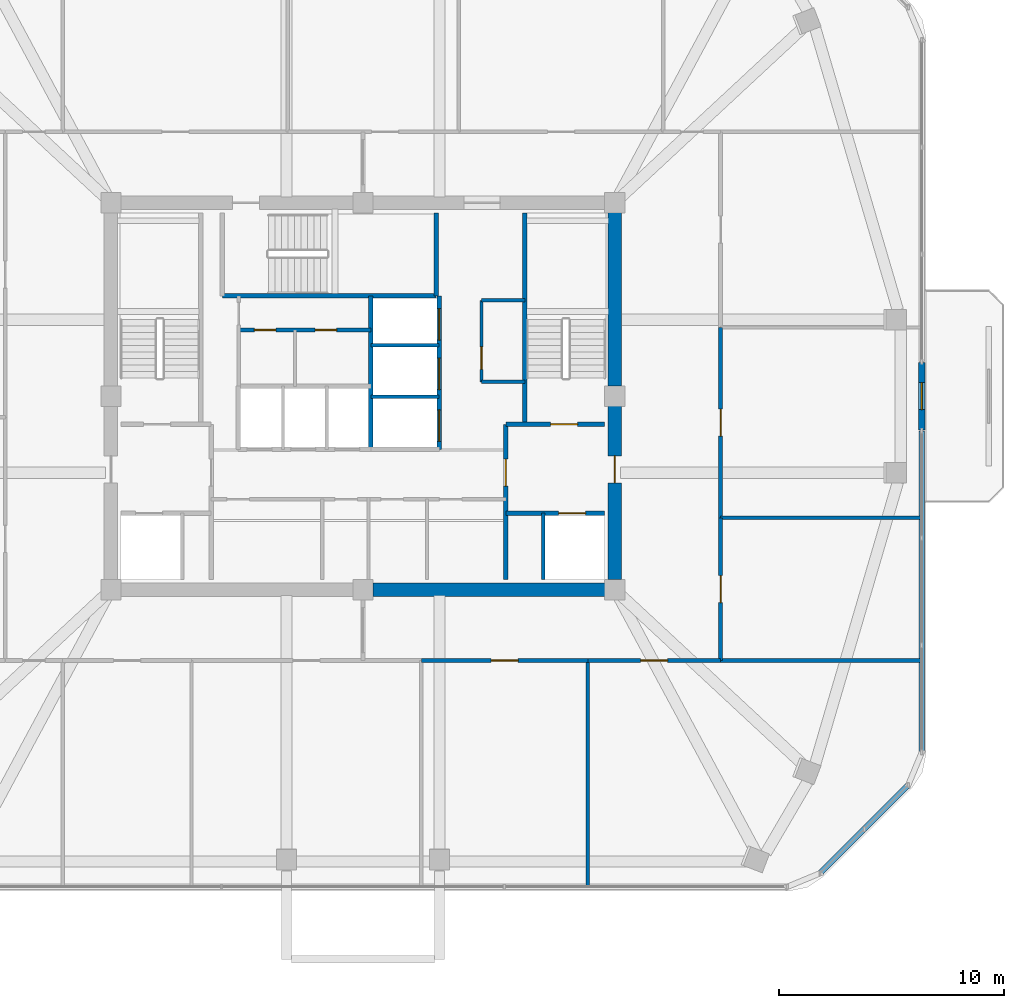
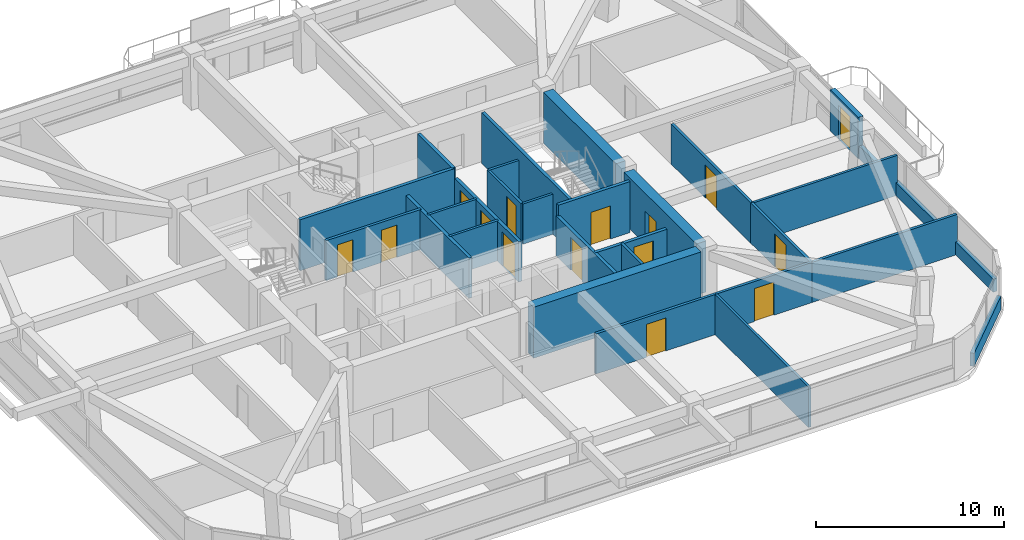
# One storey, part 10 of 13: 28 walls, 15 doors, 15 openings.
"""IFC4 building model written with IfcOpenShell, lengths in metres."""

from ifc_helpers import new_model, si_unit, derived_unit, direction, frame, frame_2d, origin, place, context, subcontext, project, spatial, rectangle, extrude, material, layer, layer_set, type_object, element, fill, save


model = new_model("IFC4")

# Units and contexts
model_context = context("Model", 3, precision=1e-05, world=origin(), true_north=direction((0.0, 1.0)))
body_context = subcontext(model_context, "Body", "Model", "MODEL_VIEW")
ifc_project = project(units=[si_unit("LENGTHUNIT", "METRE"), si_unit("AREAUNIT", "SQUARE_METRE"), si_unit("VOLUMEUNIT", "CUBIC_METRE"), si_unit("PLANEANGLEUNIT", "RADIAN"), si_unit("MASSUNIT", "GRAM", prefix="KILO"), derived_unit("THERMALTRANSMITTANCEUNIT", [(si_unit("POWERUNIT", "WATT"), 1), (si_unit("LENGTHUNIT", "METRE"), -2), (si_unit("THERMODYNAMICTEMPERATUREUNIT", "KELVIN"), -1)])], contexts=[model_context])

# Site, building, storey
site_placement = place(None, origin())
site = spatial("IfcSite", under=ifc_project, at=site_placement, CompositionType="ELEMENT")
building_placement = place(site_placement, origin())
building = spatial("IfcBuilding", under=site, at=building_placement, Name="Koralith Skygarden Medical Center", CompositionType="ELEMENT")
storey_placement = place(building_placement, frame((0.0, 0.0, 196.3798828125)))
storey = spatial("IfcBuildingStorey", under=building, at=storey_placement, Name="L50", CompositionType="ELEMENT", Elevation=196.3798828125)

# Wall, opening, door
ifc_material_1 = material(Name="Gypsum Board Partition")
ifc_layer_1 = layer(ifc_material_1, 0.14990234375)
ifc_layer_set_1 = layer_set([ifc_layer_1], Name="Gypsum Board Partition")
wall_type_1 = type_object("IfcWallType", Name="Clinical Acoustic Partition 150", PredefinedType="PARTITIONING", material=ifc_layer_set_1)
wall_1_placement = place(storey_placement, frame((42.27001953125, 26.5400390625, 0.0), z_axis=(0.0, 0.0, 1.0), x_axis=(0.0, 1.0, 0.0)))
wall_1 = element("IfcWall", 1, at=wall_1_placement, inside=storey, type_object=wall_type_1, Name="L50 Clinical Acoustic Partition 150 W-CORE-L50-ESUB-W", PredefinedType="PARTITIONING", context=body_context, shape_type="SweptSolid", body=[
    extrude(rectangle(XDim=3.619873046875, YDim=0.14990234375, at=frame_2d((1.81005859375, 0.0))), origin(), (0.0, 0.0, 1.0), 2.610107421875),
])
opening_1_placement = place(wall_1_placement, frame((0.550048828125, 0.0, 0.0)))
opening_1 = element("IfcOpeningElement", 2, at=opening_1_placement, cuts=wall_1, Name="Opening D-SUP", PredefinedType="OPENING", context=body_context, shape_type="SweptSolid", body=[
    extrude(rectangle(XDim=1.0, YDim=2.14990234375, at=frame_2d((0.5, 1.074951171875))), frame((0.0, 0.0849609375, 0.0), z_axis=(0.0, -1.0, 0.0), x_axis=(1.0, 0.0, 0.0)), (0.0, 0.0, 1.0), 0.169921875),
])
ifc_material_2 = material(Name="Aluminium 6063-T6", Category="aluminium")
door_type_1 = type_object("IfcDoorType", Name="Clinical Support Door D-SUP 1000", OperationType="NOTDEFINED", PredefinedType="DOOR", material=ifc_material_2)
door_1_placement = place(opening_1_placement, origin())
door_1 = element("IfcDoor", 3, at=door_1_placement, inside=storey, type_object=door_type_1, Name="L50 Core Equipment Store Door", OperationType="SINGLE_SWING_LEFT", OverallHeight=2.14990234375, OverallWidth=1.0, PredefinedType="DOOR", context=body_context, shape_type="SweptSolid", body=[
    extrude(rectangle(XDim=1.0, YDim=2.14990234375, at=frame_2d((0.5, 1.074951171875))), frame((0.0, 0.02490234375, 0.0), z_axis=(0.0, -1.0, 0.0), x_axis=(1.0, 0.0, 0.0)), (0.0, 0.0, 1.0), 0.050048828125),
])
fill(opening_1, door_1)

# Walls
for number, where, z_axis, x_axis, name in (
    (4, (42.27001953125, 26.5400390625, 0.0), (0.0, 0.0, 1.0), (1.0, 0.0, 0.0), "L50 Clinical Acoustic Partition 150 W-CORE-L50-ESUB-S"),
    (5, (42.27001953125, 30.159912109375, 0.0), (0.0, 0.0, 1.0), (1.0, 0.0, 0.0), "L50 Clinical Acoustic Partition 150 W-CORE-L50-ESUB-N"),
):
    element("IfcWall", number, at=place(storey_placement, frame(where, z_axis=z_axis, x_axis=x_axis)), inside=storey, type_object=wall_type_1, Name=name, PredefinedType="PARTITIONING", context=body_context, shape_type="SweptSolid", body=[
        extrude(rectangle(XDim=1.929931640625, YDim=0.14990234375, at=frame_2d((0.96484375, 0.0))), origin(), (0.0, 0.0, 1.0), 2.610107421875),
    ])
wall_2_placement = place(storey_placement, frame((46.9990234375, 14.14990234375, 0.0), z_axis=(0.0, 0.0, 1.0), x_axis=(0.0, -1.0, 0.0)))
element("IfcWall", 6, at=wall_2_placement, inside=storey, type_object=wall_type_1, Name="L50 Clinical Acoustic Partition 150 W-PART-L50-S-04", PredefinedType="PARTITIONING", context=body_context, shape_type="SweptSolid", body=[
    extrude(rectangle(XDim=10.039794921875, YDim=0.14990234375, at=frame_2d((5.02001953125, 0.0))), origin(), (0.0, 0.0, 1.0), 2.610107421875),
])
wall_3_placement = place(storey_placement, frame((52.89990234375, 20.4951171875, 0.0), z_axis=(0.0, 0.0, 1.0), x_axis=(1.0, 0.0, 0.0)))
element("IfcWall", 7, at=wall_3_placement, inside=storey, type_object=wall_type_1, Name="L50 Clinical Acoustic Partition 150 W-PART-L50-E-01", PredefinedType="PARTITIONING", context=body_context, shape_type="SweptSolid", body=[
    extrude(rectangle(XDim=8.926025390625, YDim=0.14990234375, at=frame_2d((4.462890625, 0.0))), origin(), (0.0, 0.0, 1.0), 2.610107421875),
])
ifc_layer_2 = layer(ifc_material_1, 0.1650390625)
ifc_layer_set_2 = layer_set([ifc_layer_2], Name="Gypsum Board Partition")
wall_type_2 = type_object("IfcWallType", Name="Clinical Corridor Partition 165", PredefinedType="PARTITIONING", material=ifc_layer_set_2)
wall_4_placement = place(storey_placement, frame((52.89990234375, 14.14990234375, 0.0), z_axis=(0.0, 0.0, 1.0), x_axis=(1.0, 0.0, 0.0)))
element("IfcWall", 8, at=wall_4_placement, inside=storey, type_object=wall_type_2, Name="L50 Clinical Corridor Partition 165 W-WB-L50-SE", PredefinedType="PARTITIONING", context=body_context, shape_type="SweptSolid", body=[
    extrude(rectangle(XDim=8.926025390625, YDim=0.1650390625, at=frame_2d((4.462890625, 0.0))), origin(), (0.0, 0.0, 1.0), 2.610107421875),
])

# Wall, opening, door
wall_5_placement = place(storey_placement, frame((39.60009765625, 14.14990234375, 0.0), z_axis=(0.0, 0.0, 1.0), x_axis=(1.0, 0.0, 0.0)))
wall_5 = element("IfcWall", 9, at=wall_5_placement, inside=storey, type_object=wall_type_2, Name="L50 Clinical Corridor Partition 165 W-CORR-L50-S-04", PredefinedType="PARTITIONING", context=body_context, shape_type="SweptSolid", body=[
    extrude(rectangle(XDim=7.39892578125, YDim=0.1650390625, at=frame_2d((3.699462890625, 0.0))), origin(), (0.0, 0.0, 1.0), 2.610107421875),
])
opening_2_placement = place(wall_5_placement, frame((3.10009765625, 0.0, 0.0)))
opening_2 = element("IfcOpeningElement", 10, at=opening_2_placement, cuts=wall_5, Name="Opening D-CLN", PredefinedType="OPENING", context=body_context, shape_type="SweptSolid", body=[
    extrude(rectangle(XDim=1.199951171875, YDim=2.14990234375, at=frame_2d((0.60009765625, 1.074951171875))), frame((0.0, 0.092529296875, 0.0), z_axis=(0.0, -1.0, 0.0), x_axis=(1.0, 0.0, 0.0)), (0.0, 0.0, 1.0), 0.18505859375),
])
door_type_2 = type_object("IfcDoorType", Name="Clinical Corridor Door D-CLN 1200", OperationType="NOTDEFINED", PredefinedType="DOOR", material=ifc_material_2)
door_2_placement = place(opening_2_placement, frame((1.199951171875, 0.0, 0.0), z_axis=(0.0, 0.0, 1.0), x_axis=(-1.0, 0.0, 0.0)))
door_2 = element("IfcDoor", 11, at=door_2_placement, inside=storey, type_object=door_type_2, Name="L50 Outpatient Education Lounge 09 Door", OperationType="SINGLE_SWING_RIGHT", OverallHeight=2.14990234375, OverallWidth=1.199951171875, PredefinedType="DOOR", context=body_context, shape_type="SweptSolid", body=[
    extrude(rectangle(XDim=1.199951171875, YDim=2.14990234375, at=frame_2d((0.60009765625, 1.074951171875))), frame((0.0, 0.02490234375, 0.0), z_axis=(0.0, -1.0, 0.0), x_axis=(1.0, 0.0, 0.0)), (0.0, 0.0, 1.0), 0.050048828125),
])
fill(opening_2, door_2)

wall_6_placement = place(storey_placement, frame((46.9990234375, 14.14990234375, 0.0), z_axis=(0.0, 0.0, 1.0), x_axis=(1.0, 0.0, 0.0)))
wall_6 = element("IfcWall", 12, at=wall_6_placement, inside=storey, type_object=wall_type_2, Name="L50 Clinical Corridor Partition 165 W-CORR-L50-S-05", PredefinedType="PARTITIONING", context=body_context, shape_type="SweptSolid", body=[
    extrude(rectangle(XDim=5.90087890625, YDim=0.1650390625, at=frame_2d((2.950439453125, 0.0))), origin(), (0.0, 0.0, 1.0), 2.610107421875),
])
opening_3_placement = place(wall_6_placement, frame((2.35009765625, 0.0, 0.0)))
opening_3 = element("IfcOpeningElement", 13, at=opening_3_placement, cuts=wall_6, Name="Opening D-CLN", PredefinedType="OPENING", context=body_context, shape_type="SweptSolid", body=[
    extrude(rectangle(XDim=1.199951171875, YDim=2.14990234375, at=frame_2d((0.60009765625, 1.074951171875))), frame((0.0, 0.092529296875, 0.0), z_axis=(0.0, -1.0, 0.0), x_axis=(1.0, 0.0, 0.0)), (0.0, 0.0, 1.0), 0.18505859375),
])
door_3_placement = place(opening_3_placement, frame((1.199951171875, 0.0, 0.0), z_axis=(0.0, 0.0, 1.0), x_axis=(-1.0, 0.0, 0.0)))
door_3 = element("IfcDoor", 14, at=door_3_placement, inside=storey, type_object=door_type_2, Name="L50 Bariatric Nutrition Teaching Pantry 10 Door", OperationType="SINGLE_SWING_LEFT", OverallHeight=2.14990234375, OverallWidth=1.199951171875, PredefinedType="DOOR", context=body_context, shape_type="SweptSolid", body=[
    extrude(rectangle(XDim=1.199951171875, YDim=2.14990234375, at=frame_2d((0.60009765625, 1.074951171875))), frame((0.0, 0.02490234375, 0.0), z_axis=(0.0, -1.0, 0.0), x_axis=(1.0, 0.0, 0.0)), (0.0, 0.0, 1.0), 0.050048828125),
])
fill(opening_3, door_3)

wall_7_placement = place(storey_placement, frame((52.89990234375, 14.14990234375, 0.0), z_axis=(0.0, 0.0, 1.0), x_axis=(0.0, 1.0, 0.0)))
wall_7 = element("IfcWall", 15, at=wall_7_placement, inside=storey, type_object=wall_type_2, Name="L50 Clinical Corridor Partition 165 W-CORR-L50-E-01", PredefinedType="PARTITIONING", context=body_context, shape_type="SweptSolid", body=[
    extrude(rectangle(XDim=6.34521484375, YDim=0.1650390625, at=frame_2d((3.172607421875, 0.0))), origin(), (0.0, 0.0, 1.0), 2.610107421875),
])
opening_4_placement = place(wall_7_placement, frame((2.572998046875, 0.0, 0.0)))
opening_4 = element("IfcOpeningElement", 16, at=opening_4_placement, cuts=wall_7, Name="Opening D-CLN", PredefinedType="OPENING", context=body_context, shape_type="SweptSolid", body=[
    extrude(rectangle(XDim=1.199951171875, YDim=2.14990234375, at=frame_2d((0.60009765625, 1.074951171875))), frame((0.0, 0.092529296875, 0.0), z_axis=(0.0, -1.0, 0.0), x_axis=(1.0, 0.0, 0.0)), (0.0, 0.0, 1.0), 0.18505859375),
])
door_4_placement = place(opening_4_placement, origin())
door_4 = element("IfcDoor", 17, at=door_4_placement, inside=storey, type_object=door_type_2, Name="L50 Outpatient Education Lounge 13 Door", OperationType="SINGLE_SWING_RIGHT", OverallHeight=2.14990234375, OverallWidth=1.199951171875, PredefinedType="DOOR", context=body_context, shape_type="SweptSolid", body=[
    extrude(rectangle(XDim=1.199951171875, YDim=2.14990234375, at=frame_2d((0.60009765625, 1.074951171875))), frame((0.0, 0.02490234375, 0.0), z_axis=(0.0, -1.0, 0.0), x_axis=(1.0, 0.0, 0.0)), (0.0, 0.0, 1.0), 0.050048828125),
])
fill(opening_4, door_4)

wall_8_placement = place(storey_placement, frame((52.89990234375, 20.4951171875, 0.0), z_axis=(0.0, 0.0, 1.0), x_axis=(0.0, 1.0, 0.0)))
wall_8 = element("IfcWall", 18, at=wall_8_placement, inside=storey, type_object=wall_type_2, Name="L50 Clinical Corridor Partition 165 W-CORR-L50-E-02", PredefinedType="PARTITIONING", context=body_context, shape_type="SweptSolid", body=[
    extrude(rectangle(XDim=8.4599609375, YDim=0.1650390625, at=frame_2d((4.22998046875, 0.0))), origin(), (0.0, 0.0, 1.0), 2.610107421875),
])
opening_5_placement = place(wall_8_placement, frame((3.6298828125, 0.0, 0.0)))
opening_5 = element("IfcOpeningElement", 19, at=opening_5_placement, cuts=wall_8, Name="Opening D-CLN", PredefinedType="OPENING", context=body_context, shape_type="SweptSolid", body=[
    extrude(rectangle(XDim=1.199951171875, YDim=2.14990234375, at=frame_2d((0.60009765625, 1.074951171875))), frame((0.0, 0.092529296875, 0.0), z_axis=(0.0, -1.0, 0.0), x_axis=(1.0, 0.0, 0.0)), (0.0, 0.0, 1.0), 0.18505859375),
])
door_5_placement = place(opening_5_placement, origin())
door_5 = element("IfcDoor", 20, at=door_5_placement, inside=storey, type_object=door_type_2, Name="L50 Patient and Family Sky-Garden Day Lounge 14 Door", OperationType="SINGLE_SWING_LEFT", OverallHeight=2.14990234375, OverallWidth=1.199951171875, PredefinedType="DOOR", context=body_context, shape_type="SweptSolid", body=[
    extrude(rectangle(XDim=1.199951171875, YDim=2.14990234375, at=frame_2d((0.60009765625, 1.074951171875))), frame((0.0, 0.02490234375, 0.0), z_axis=(0.0, -1.0, 0.0), x_axis=(1.0, 0.0, 0.0)), (0.0, 0.0, 1.0), 0.050048828125),
])
fill(opening_5, door_5)

ifc_layer_3 = layer(ifc_material_1, 0.199951171875)
ifc_layer_set_3 = layer_set([ifc_layer_3], Name="Gypsum Board Partition")
wall_type_3 = type_object("IfcWallType", Name="Fire Shaft Wall 200", PredefinedType="SOLIDWALL", material=ifc_layer_set_3)
wall_9_placement = place(storey_placement, frame((43.35009765625, 20.699951171875, 0.0), z_axis=(0.0, 0.0, 1.0), x_axis=(1.0, 0.0, 0.0)))
wall_9 = element("IfcWall", 21, at=wall_9_placement, inside=storey, type_object=wall_type_3, Name="L50 Fire Shaft Wall 200 W-CORE-L50-FF2-N", PredefinedType="SOLIDWALL", context=body_context, shape_type="SweptSolid", body=[
    extrude(rectangle(XDim=4.39990234375, YDim=0.199951171875, at=frame_2d((2.199951171875, 0.0))), origin(), (0.0, 0.0, 1.0), 2.610107421875),
])
opening_6_placement = place(wall_9_placement, frame((2.35009765625, 0.0, 0.0)))
opening_6 = element("IfcOpeningElement", 22, at=opening_6_placement, cuts=wall_9, Name="Opening LD-FF", PredefinedType="OPENING", context=body_context, shape_type="SweptSolid", body=[
    extrude(rectangle(XDim=1.199951171875, YDim=2.14990234375, at=frame_2d((0.60009765625, 1.074951171875))), frame((0.0, 0.10986328125, 0.0), z_axis=(0.0, -1.0, 0.0), x_axis=(1.0, 0.0, 0.0)), (0.0, 0.0, 1.0), 0.219970703125),
])
ifc_material_3 = material(Name="Steel ASTM A500 Grade C", Category="steel")
door_type_3 = type_object("IfcDoorType", Name="Fire Lift Sliding Landing Door LD-FF 1200", OperationType="NOTDEFINED", PredefinedType="DOOR", material=ifc_material_3)
door_6_placement = place(opening_6_placement, origin())
door_6 = element("IfcDoor", 23, at=door_6_placement, inside=storey, type_object=door_type_3, Name="L50 Fire Service Elevator FF2 Landing Door", OperationType="SLIDING_TO_RIGHT", OverallHeight=2.14990234375, OverallWidth=1.199951171875, PredefinedType="DOOR", context=body_context, shape_type="SweptSolid", body=[
    extrude(rectangle(XDim=1.199951171875, YDim=2.14990234375, at=frame_2d((0.60009765625, 1.074951171875))), frame((0.0, 0.02490234375, 0.0), z_axis=(0.0, -1.0, 0.0), x_axis=(1.0, 0.0, 0.0)), (0.0, 0.0, 1.0), 0.050048828125),
])
fill(opening_6, door_6)

wall_10_placement = place(storey_placement, frame((43.35009765625, 17.75, 0.0), z_axis=(0.0, 0.0, 1.0), x_axis=(0.0, 1.0, 0.0)))
wall_10 = element("IfcWall", 24, at=wall_10_placement, inside=storey, type_object=wall_type_3, Name="L50 Fire Shaft Wall 200 W-CORE-L50-FSAEE-W", PredefinedType="SOLIDWALL", context=body_context, shape_type="SweptSolid", body=[
    extrude(rectangle(XDim=6.89990234375, YDim=0.199951171875, at=frame_2d((3.449951171875, 0.0))), origin(), (0.0, 0.0, 1.0), 2.610107421875),
])
opening_7_placement = place(wall_10_placement, frame((4.14990234375, 0.0, 0.0)))
opening_7 = element("IfcOpeningElement", 25, at=opening_7_placement, cuts=wall_10, Name="Opening D-ST60", PredefinedType="OPENING", context=body_context, shape_type="SweptSolid", body=[
    extrude(rectangle(XDim=1.199951171875, YDim=2.14990234375, at=frame_2d((0.60009765625, 1.074951171875))), frame((0.0, 0.10986328125, 0.0), z_axis=(0.0, -1.0, 0.0), x_axis=(1.0, 0.0, 0.0)), (0.0, 0.0, 1.0), 0.219970703125),
])
door_type_4 = type_object("IfcDoorType", Name="Smokeproof Stair Fire Door FD60S 1200", OperationType="NOTDEFINED", PredefinedType="DOOR", material=ifc_material_3)
door_7_placement = place(opening_7_placement, frame((1.199951171875, 0.0, 0.0), z_axis=(0.0, 0.0, 1.0), x_axis=(-1.0, 0.0, 0.0)))
door_7 = element("IfcDoor", 26, at=door_7_placement, inside=storey, type_object=door_type_4, Name="L50 East Firefighting Lobby Inner Fire Door", OperationType="SINGLE_SWING_RIGHT", OverallHeight=2.14990234375, OverallWidth=1.199951171875, PredefinedType="DOOR", context=body_context, shape_type="SweptSolid", body=[
    extrude(rectangle(XDim=1.199951171875, YDim=2.14990234375, at=frame_2d((0.60009765625, 1.074951171875))), frame((0.0, 0.02490234375, 0.0), z_axis=(0.0, -1.0, 0.0), x_axis=(1.0, 0.0, 0.0)), (0.0, 0.0, 1.0), 0.050048828125),
])
fill(opening_7, door_7)

# Wall
wall_11_placement = place(storey_placement, frame((37.35009765625, 23.5400390625, 0.0), z_axis=(0.0, 0.0, 1.0), x_axis=(0.0, 1.0, 0.0)))
element("IfcWall", 27, at=wall_11_placement, inside=storey, type_object=wall_type_3, Name="L50 Fire Shaft Wall 200 W-CORE-L50-SV-W", PredefinedType="SOLIDWALL", context=body_context, shape_type="SweptSolid", body=[
    extrude(rectangle(XDim=6.820068359375, YDim=0.199951171875, at=frame_2d((3.41015625, 0.0))), origin(), (0.0, 0.0, 1.0), 2.610107421875),
])

# Wall, openings, doors
wall_12_placement = place(storey_placement, frame((40.39990234375, 23.5400390625, 0.0), z_axis=(0.0, 0.0, 1.0), x_axis=(0.0, 1.0, 0.0)))
wall_12 = element("IfcWall", 28, at=wall_12_placement, inside=storey, type_object=wall_type_3, Name="L50 Fire Shaft Wall 200 W-CORE-L50-SV-E", PredefinedType="SOLIDWALL", context=body_context, shape_type="SweptSolid", body=[
    extrude(rectangle(XDim=6.820068359375, YDim=0.199951171875, at=frame_2d((3.41015625, 0.0))), origin(), (0.0, 0.0, 1.0), 2.610107421875),
])
opening_8_placement = place(wall_12_placement, frame((0.35009765625, 0.0, 0.0)))
opening_8 = element("IfcOpeningElement", 29, at=opening_8_placement, cuts=wall_12, Name="Opening LD-SV", PredefinedType="OPENING", context=body_context, shape_type="SweptSolid", body=[
    extrude(rectangle(XDim=1.39990234375, YDim=2.199951171875, at=frame_2d((0.699951171875, 1.10009765625))), frame((0.0, 0.10986328125, 0.0), z_axis=(0.0, -1.0, 0.0), x_axis=(1.0, 0.0, 0.0)), (0.0, 0.0, 1.0), 0.219970703125),
])
opening_9_placement = place(wall_12_placement, frame((2.64990234375, 0.0, 0.0)))
opening_9 = element("IfcOpeningElement", 30, at=opening_9_placement, cuts=wall_12, Name="Opening LD-SV", PredefinedType="OPENING", context=body_context, shape_type="SweptSolid", body=[
    extrude(rectangle(XDim=1.39990234375, YDim=2.199951171875, at=frame_2d((0.699951171875, 1.10009765625))), frame((0.0, 0.10986328125, 0.0), z_axis=(0.0, -1.0, 0.0), x_axis=(1.0, 0.0, 0.0)), (0.0, 0.0, 1.0), 0.219970703125),
])
opening_10_placement = place(wall_12_placement, frame((4.85009765625, 0.0, 0.0)))
opening_10 = element("IfcOpeningElement", 31, at=opening_10_placement, cuts=wall_12, Name="Opening LD-SV", PredefinedType="OPENING", context=body_context, shape_type="SweptSolid", body=[
    extrude(rectangle(XDim=1.39990234375, YDim=2.199951171875, at=frame_2d((0.699951171875, 1.10009765625))), frame((0.0, 0.10986328125, 0.0), z_axis=(0.0, -1.0, 0.0), x_axis=(1.0, 0.0, 0.0)), (0.0, 0.0, 1.0), 0.219970703125),
])
door_type_5 = type_object("IfcDoorType", Name="Bed Lift Sliding Landing Door LD-SV 1400", OperationType="NOTDEFINED", PredefinedType="DOOR", material=ifc_material_3)
door_8_placement = place(opening_8_placement, origin())
door_8 = element("IfcDoor", 32, at=door_8_placement, inside=storey, type_object=door_type_5, Name="L50 Bed Elevator BD1 Landing Door", OperationType="SLIDING_TO_LEFT", OverallHeight=2.199951171875, OverallWidth=1.39990234375, PredefinedType="DOOR", context=body_context, shape_type="SweptSolid", body=[
    extrude(rectangle(XDim=1.39990234375, YDim=2.199951171875, at=frame_2d((0.699951171875, 1.10009765625))), frame((0.0, 0.02490234375, 0.0), z_axis=(0.0, -1.0, 0.0), x_axis=(1.0, 0.0, 0.0)), (0.0, 0.0, 1.0), 0.050048828125),
])
fill(opening_8, door_8)
door_9_placement = place(opening_9_placement, origin())
door_9 = element("IfcDoor", 33, at=door_9_placement, inside=storey, type_object=door_type_5, Name="L50 Service Elevator BD2 Landing Door", OperationType="SLIDING_TO_LEFT", OverallHeight=2.199951171875, OverallWidth=1.39990234375, PredefinedType="DOOR", context=body_context, shape_type="SweptSolid", body=[
    extrude(rectangle(XDim=1.39990234375, YDim=2.199951171875, at=frame_2d((0.699951171875, 1.10009765625))), frame((0.0, 0.02490234375, 0.0), z_axis=(0.0, -1.0, 0.0), x_axis=(1.0, 0.0, 0.0)), (0.0, 0.0, 1.0), 0.050048828125),
])
fill(opening_9, door_9)
door_10_placement = place(opening_10_placement, origin())
door_10 = element("IfcDoor", 34, at=door_10_placement, inside=storey, type_object=door_type_5, Name="L50 Trauma Elevator TR1 Landing Door", OperationType="SLIDING_TO_RIGHT", OverallHeight=2.199951171875, OverallWidth=1.39990234375, PredefinedType="DOOR", context=body_context, shape_type="SweptSolid", body=[
    extrude(rectangle(XDim=1.39990234375, YDim=2.199951171875, at=frame_2d((0.699951171875, 1.10009765625))), frame((0.0, 0.02490234375, 0.0), z_axis=(0.0, -1.0, 0.0), x_axis=(1.0, 0.0, 0.0)), (0.0, 0.0, 1.0), 0.050048828125),
])
fill(opening_10, door_10)

# Walls
ifc_material_4 = material(Name="Warm Oolitic Limestone Cladding", Category="masonry")
ifc_layer_4 = layer(ifc_material_4, 0.239990234375)
ifc_layer_set_4 = layer_set([ifc_layer_4], Name="Warm Oolitic Limestone Cladding")
wall_type_4 = type_object("IfcWallType", Name="Limestone Spandrel Sill Backup Wall 240", PredefinedType="SOLIDWALL", material=ifc_layer_set_4)
wall_13_placement = place(storey_placement, frame((57.321044921875, 4.69091796875, 0.0), z_axis=(0.0, 0.0, 1.0), x_axis=(0.707084777957, 0.707128783731, 0.0)))
element("IfcWall", 35, at=wall_13_placement, inside=storey, type_object=wall_type_4, Name="L50 Sill Spandrel SE", PredefinedType="SOLIDWALL", context=body_context, shape_type="SweptSolid", body=[
    extrude(rectangle(XDim=5.5478515625, YDim=0.239990234375, at=frame_2d((2.77392578125, 0.0))), origin(), (0.0, 0.0, 1.0), 0.85009765625),
])
wall_14_placement = place(storey_placement, frame((61.845947265625, 10.06494140625, 0.0), z_axis=(0.0, 0.0, 1.0), x_axis=(0.0, 1.0, 0.0)))
element("IfcWall", 36, at=wall_14_placement, inside=storey, type_object=wall_type_4, Name="L50 Sill Spandrel E-L", PredefinedType="SOLIDWALL", context=body_context, shape_type="SweptSolid", body=[
    extrude(rectangle(XDim=14.295166015625, YDim=0.239990234375, at=frame_2d((7.1474609375, 0.0))), origin(), (0.0, 0.0, 1.0), 0.85009765625),
])

# Wall, opening, door
ifc_layer_5 = layer(ifc_material_4, 0.300048828125)
ifc_layer_set_5 = layer_set([ifc_layer_5], Name="Warm Oolitic Limestone Cladding")
wall_type_5 = type_object("IfcWallType", Name="Oolitic Limestone Insulated Facade Wall 300", PredefinedType="SOLIDWALL", material=ifc_layer_set_5)
wall_15_placement = place(storey_placement, frame((61.845947265625, 24.39990234375, 0.0), z_axis=(0.0, 0.0, 1.0), x_axis=(0.0, 1.0, 0.0)))
wall_15 = element("IfcWall", 37, at=wall_15_placement, inside=storey, type_object=wall_type_5, Name="L50 Terrace Portal Wall E", PredefinedType="SOLIDWALL", context=body_context, shape_type="SweptSolid", body=[
    extrude(rectangle(XDim=3.0, YDim=0.300048828125, at=frame_2d((1.5, 0.0))), origin(), (0.0, 0.0, 1.0), 2.690185546875),
])
opening_11_placement = place(wall_15_placement, frame((0.89990234375, 0.0, 0.0)))
opening_11 = element("IfcOpeningElement", 38, at=opening_11_placement, cuts=wall_15, Name="Opening D-BAL", PredefinedType="OPENING", context=body_context, shape_type="SweptSolid", body=[
    extrude(rectangle(XDim=1.199951171875, YDim=2.199951171875, at=frame_2d((0.60009765625, 1.10009765625))), frame((0.0, 0.159912109375, 0.0), z_axis=(0.0, -1.0, 0.0), x_axis=(1.0, 0.0, 0.0)), (0.0, 0.0, 1.0), 0.320068359375),
])
door_type_6 = type_object("IfcDoorType", Name="Planted Balcony Glazed Terrace Door D-BAL 1200", OperationType="NOTDEFINED", PredefinedType="DOOR", material=ifc_material_2)
door_11_placement = place(opening_11_placement, origin())
door_11 = element("IfcDoor", 39, at=door_11_placement, inside=storey, type_object=door_type_6, Name="L50 E Outdoor Terrace Access Door", OperationType="SINGLE_SWING_LEFT", OverallHeight=2.199951171875, OverallWidth=1.199951171875, PredefinedType="DOOR", context=body_context, shape_type="SweptSolid", body=[
    extrude(rectangle(XDim=1.199951171875, YDim=2.199951171875, at=frame_2d((0.60009765625, 1.10009765625))), frame((0.0, 0.02490234375, 0.0), z_axis=(0.0, -1.0, 0.0), x_axis=(1.0, 0.0, 0.0)), (0.0, 0.0, 1.0), 0.050048828125),
])
fill(opening_11, door_11)

# Wall, openings, doors
ifc_layer_6 = layer(ifc_material_1, 0.1650390625)
ifc_layer_set_6 = layer_set([ifc_layer_6], Name="Gypsum Board Partition")
wall_type_6 = type_object("IfcWallType", Name="Plumbing Wet Wall 165", PredefinedType="PLUMBINGWALL", material=ifc_layer_set_6)
wall_16_placement = place(storey_placement, frame((31.47998046875, 28.840087890625, 0.0), z_axis=(0.0, 0.0, 1.0), x_axis=(1.0, 0.0, 0.0)))
wall_16 = element("IfcWall", 40, at=wall_16_placement, inside=storey, type_object=wall_type_6, Name="L50 Plumbing Wet Wall 165 W-CORE-L50-FLEX-H3", PredefinedType="PLUMBINGWALL", context=body_context, shape_type="SweptSolid", body=[
    extrude(rectangle(XDim=5.8701171875, YDim=0.1650390625, at=frame_2d((2.93505859375, 0.0))), origin(), (0.0, 0.0, 1.0), 2.610107421875),
])
opening_12_placement = place(wall_16_placement, frame((0.699951171875, 0.0, 0.0)))
opening_12 = element("IfcOpeningElement", 41, at=opening_12_placement, cuts=wall_16, Name="Opening D-WC", PredefinedType="OPENING", context=body_context, shape_type="SweptSolid", body=[
    extrude(rectangle(XDim=0.949951171875, YDim=2.10009765625, at=frame_2d((0.47509765625, 1.050048828125))), frame((0.0, 0.092529296875, 0.0), z_axis=(0.0, -1.0, 0.0), x_axis=(1.0, 0.0, 0.0)), (0.0, 0.0, 1.0), 0.18505859375),
])
opening_13_placement = place(wall_16_placement, frame((3.39990234375, 0.0, 0.0)))
opening_13 = element("IfcOpeningElement", 42, at=opening_13_placement, cuts=wall_16, Name="Opening D-WC", PredefinedType="OPENING", context=body_context, shape_type="SweptSolid", body=[
    extrude(rectangle(XDim=0.949951171875, YDim=2.10009765625, at=frame_2d((0.47509765625, 1.050048828125))), frame((0.0, 0.092529296875, 0.0), z_axis=(0.0, -1.0, 0.0), x_axis=(1.0, 0.0, 0.0)), (0.0, 0.0, 1.0), 0.18505859375),
])
door_type_7 = type_object("IfcDoorType", Name="Accessible Toilet Door D-WC 950", OperationType="NOTDEFINED", PredefinedType="DOOR", material=ifc_material_2)
door_12_placement = place(opening_12_placement, frame((0.949951171875, 0.0, 0.0), z_axis=(0.0, 0.0, 1.0), x_axis=(-1.0, 0.0, 0.0)))
door_12 = element("IfcDoor", 43, at=door_12_placement, inside=storey, type_object=door_type_7, Name="L50 Core Accessible WC Door", OperationType="SINGLE_SWING_LEFT", OverallHeight=2.10009765625, OverallWidth=0.949951171875, PredefinedType="DOOR", context=body_context, shape_type="SweptSolid", body=[
    extrude(rectangle(XDim=0.949951171875, YDim=2.10009765625, at=frame_2d((0.47509765625, 1.050048828125))), frame((0.0, 0.02490234375, 0.0), z_axis=(0.0, -1.0, 0.0), x_axis=(1.0, 0.0, 0.0)), (0.0, 0.0, 1.0), 0.050048828125),
])
fill(opening_12, door_12)
door_13_placement = place(opening_13_placement, frame((0.949951171875, 0.0, 0.0), z_axis=(0.0, 0.0, 1.0), x_axis=(-1.0, 0.0, 0.0)))
door_13 = element("IfcDoor", 44, at=door_13_placement, inside=storey, type_object=door_type_7, Name="L50 Housekeeping Store Door", OperationType="SINGLE_SWING_RIGHT", OverallHeight=2.10009765625, OverallWidth=0.949951171875, PredefinedType="DOOR", context=body_context, shape_type="SweptSolid", body=[
    extrude(rectangle(XDim=0.949951171875, YDim=2.10009765625, at=frame_2d((0.47509765625, 1.050048828125))), frame((0.0, 0.02490234375, 0.0), z_axis=(0.0, -1.0, 0.0), x_axis=(1.0, 0.0, 0.0)), (0.0, 0.0, 1.0), 0.050048828125),
])
fill(opening_13, door_13)

# Walls
ifc_layer_7 = layer(ifc_material_1, 0.14990234375)
ifc_layer_set_7 = layer_set([ifc_layer_7], Name="Gypsum Board Partition")
wall_type_7 = type_object("IfcWallType", Name="Shaft Partition Wall 150", PredefinedType="PARTITIONING", material=ifc_layer_set_7)
wall_17_placement = place(storey_placement, frame((45.02001953125, 17.75, 0.0), z_axis=(0.0, 0.0, 1.0), x_axis=(0.0, 1.0, 0.0)))
element("IfcWall", 45, at=wall_17_placement, inside=storey, type_object=wall_type_7, Name="L50 Shaft Partition Wall 150 W-CORE-L50-RSRE-DIV", PredefinedType="PARTITIONING", context=body_context, shape_type="SweptSolid", body=[
    extrude(rectangle(XDim=2.949951171875, YDim=0.14990234375, at=frame_2d((1.47509765625, 0.0))), origin(), (0.0, 0.0, 1.0), 2.610107421875),
])
for number, where, z_axis, x_axis, name in (
    (46, (37.3701171875, 25.8701171875, 0.0), (0.0, 0.0, 1.0), (1.0, 0.0, 0.0), "L50 Shaft Partition Wall 150 W-CORE-L50-SV-D1"),
    (47, (37.3701171875, 28.169921875, 0.0), (0.0, 0.0, 1.0), (1.0, 0.0, 0.0), "L50 Shaft Partition Wall 150 W-CORE-L50-SV-D2"),
):
    element("IfcWall", number, at=place(storey_placement, frame(where, z_axis=z_axis, x_axis=x_axis)), inside=storey, type_object=wall_type_7, Name=name, PredefinedType="PARTITIONING", context=body_context, shape_type="SweptSolid", body=[
        extrude(rectangle(XDim=3.009765625, YDim=0.14990234375, at=frame_2d((1.5048828125, 0.0))), origin(), (0.0, 0.0, 1.0), 2.610107421875),
    ])
ifc_material_5 = material(Name="Concrete C45/55", Category="concrete")
ifc_layer_8 = layer(ifc_material_5, 0.199951171875)
ifc_layer_set_8 = layer_set([ifc_layer_8], Name="Concrete C45/55")
wall_type_8 = type_object("IfcWallType", Name="Structural Stair Shaft Wall 200", PredefinedType="SHEAR", material=ifc_layer_set_8)
wall_18_placement = place(storey_placement, frame((44.199951171875, 24.64990234375, 0.0), z_axis=(0.0, 0.0, 1.0), x_axis=(0.0, 1.0, 0.0)))
element("IfcWall", 48, at=wall_18_placement, inside=storey, type_object=wall_type_8, Name="L50 Structural Stair Shaft Wall 200 W-CORE-L50-ST2-W", PredefinedType="SHEAR", context=body_context, shape_type="SweptSolid", body=[
    extrude(rectangle(XDim=9.400146484375, YDim=0.199951171875, at=frame_2d((4.7001953125, 0.0))), origin(), (0.0, 0.0, 1.0), 3.320068359375),
])

# Wall, opening, door
wall_19_placement = place(storey_placement, frame((43.35009765625, 24.64990234375, 0.0), z_axis=(0.0, 0.0, 1.0), x_axis=(1.0, 0.0, 0.0)))
wall_19 = element("IfcWall", 49, at=wall_19_placement, inside=storey, type_object=wall_type_8, Name="L50 Structural Stair Shaft Wall 200 W-CORE-L50-ST2-S", PredefinedType="SHEAR", context=body_context, shape_type="SweptSolid", body=[
    extrude(rectangle(XDim=4.39990234375, YDim=0.199951171875, at=frame_2d((2.199951171875, 0.0))), origin(), (0.0, 0.0, 1.0), 3.320068359375),
])
opening_14_placement = place(wall_19_placement, frame((2.0, 0.0, 0.0)))
opening_14 = element("IfcOpeningElement", 50, at=opening_14_placement, cuts=wall_19, Name="Opening D-ST60", PredefinedType="OPENING", context=body_context, shape_type="SweptSolid", body=[
    extrude(rectangle(XDim=1.199951171875, YDim=2.14990234375, at=frame_2d((0.60009765625, 1.074951171875))), frame((0.0, 0.10986328125, 0.0), z_axis=(0.0, -1.0, 0.0), x_axis=(1.0, 0.0, 0.0)), (0.0, 0.0, 1.0), 0.219970703125),
])
door_14_placement = place(opening_14_placement, origin())
door_14 = element("IfcDoor", 51, at=door_14_placement, inside=storey, type_object=door_type_4, Name="L50 Exit Stair ST2 Fire Door", OperationType="SINGLE_SWING_RIGHT", OverallHeight=2.14990234375, OverallWidth=1.199951171875, PredefinedType="DOOR", context=body_context, shape_type="SweptSolid", body=[
    extrude(rectangle(XDim=1.199951171875, YDim=2.14990234375, at=frame_2d((0.60009765625, 1.074951171875))), frame((0.0, 0.02490234375, 0.0), z_axis=(0.0, -1.0, 0.0), x_axis=(1.0, 0.0, 0.0)), (0.0, 0.0, 1.0), 0.050048828125),
])
fill(opening_14, door_14)

# Walls
wall_20_placement = place(storey_placement, frame((30.75, 30.360107421875, 0.0), z_axis=(0.0, 0.0, 1.0), x_axis=(1.0, 0.0, 0.0)))
element("IfcWall", 52, at=wall_20_placement, inside=storey, type_object=wall_type_8, Name="L50 Structural Stair Shaft Wall 200 W-CORE-L50-ST3-S", PredefinedType="SHEAR", context=body_context, shape_type="SweptSolid", body=[
    extrude(rectangle(XDim=9.5, YDim=0.199951171875, at=frame_2d((4.75, 0.0))), origin(), (0.0, 0.0, 1.0), 3.320068359375),
])
wall_21_placement = place(storey_placement, frame((40.25, 30.360107421875, 0.0), z_axis=(0.0, 0.0, 1.0), x_axis=(0.0, 1.0, 0.0)))
element("IfcWall", 53, at=wall_21_placement, inside=storey, type_object=wall_type_8, Name="L50 Structural Stair Shaft Wall 200 W-CORE-L50-ST3-E", PredefinedType="SHEAR", context=body_context, shape_type="SweptSolid", body=[
    extrude(rectangle(XDim=3.68994140625, YDim=0.199951171875, at=frame_2d((1.844970703125, 0.0))), origin(), (0.0, 0.0, 1.0), 3.320068359375),
])
ifc_material_6 = material(Name="Concrete C55/67", Category="concrete")
ifc_layer_9 = layer(ifc_material_6, 0.60009765625)
ifc_layer_set_9 = layer_set([ifc_layer_9], Name="Concrete C55/67")
wall_type_9 = type_object("IfcWallType", Name="Upper Core Shear Wall 600", PredefinedType="SHEAR", material=ifc_layer_set_9)
wall_22_placement = place(storey_placement, frame((37.445068359375, 17.300048828125, 0.0), z_axis=(0.0, 0.0, 1.0), x_axis=(1.0, 0.0, 0.0)))
element("IfcWall", 54, at=wall_22_placement, inside=storey, type_object=wall_type_9, Name="L50 Core Shear Wall Segment 2", PredefinedType="SHEAR", context=body_context, shape_type="SweptSolid", body=[
    extrude(rectangle(XDim=10.309814453125, YDim=0.60009765625, at=frame_2d((5.15478515625, 0.0))), origin(), (0.0, 0.0, 1.0), 3.320068359375),
])

# Wall, opening, door
wall_23_placement = place(storey_placement, frame((48.199951171875, 17.7451171875, 0.0), z_axis=(0.0, 0.0, 1.0), x_axis=(0.0, 1.0, 0.0)))
wall_23 = element("IfcWall", 55, at=wall_23_placement, inside=storey, type_object=wall_type_9, Name="L50 Core Shear Wall Segment 3", PredefinedType="SHEAR", context=body_context, shape_type="SweptSolid", body=[
    extrude(rectangle(XDim=7.7099609375, YDim=0.60009765625, at=frame_2d((3.85498046875, 0.0))), origin(), (0.0, 0.0, 1.0), 3.320068359375),
])
opening_15_placement = place(wall_23_placement, frame((4.304931640625, 0.0, 0.0)))
opening_15 = element("IfcOpeningElement", 56, at=opening_15_placement, cuts=wall_23, Name="Opening D-ST60", PredefinedType="OPENING", context=body_context, shape_type="SweptSolid", body=[
    extrude(rectangle(XDim=1.199951171875, YDim=2.14990234375, at=frame_2d((0.60009765625, 1.074951171875))), frame((0.0, 0.31005859375, 0.0), z_axis=(0.0, -1.0, 0.0), x_axis=(1.0, 0.0, 0.0)), (0.0, 0.0, 1.0), 0.6201171875),
])
door_15_placement = place(opening_15_placement, frame((1.199951171875, 0.0, 0.0), z_axis=(0.0, 0.0, 1.0), x_axis=(-1.0, 0.0, 0.0)))
door_15 = element("IfcDoor", 57, at=door_15_placement, inside=storey, type_object=door_type_4, Name="L50 East Corridor to Firefighting Lobby Door", OperationType="SINGLE_SWING_RIGHT", OverallHeight=2.14990234375, OverallWidth=1.199951171875, PredefinedType="DOOR", context=body_context, shape_type="SweptSolid", body=[
    extrude(rectangle(XDim=1.199951171875, YDim=2.14990234375, at=frame_2d((0.60009765625, 1.074951171875))), frame((0.0, 0.02490234375, 0.0), z_axis=(0.0, -1.0, 0.0), x_axis=(1.0, 0.0, 0.0)), (0.0, 0.0, 1.0), 0.050048828125),
])
fill(opening_15, door_15)

# Wall
wall_24_placement = place(storey_placement, frame((48.199951171875, 26.344970703125, 0.0), z_axis=(0.0, 0.0, 1.0), x_axis=(0.0, 1.0, 0.0)))
element("IfcWall", 58, at=wall_24_placement, inside=storey, type_object=wall_type_9, Name="L50 Core Shear Wall Segment 4", PredefinedType="SHEAR", context=body_context, shape_type="SweptSolid", body=[
    extrude(rectangle(XDim=7.7099609375, YDim=0.60009765625, at=frame_2d((3.85498046875, 0.0))), origin(), (0.0, 0.0, 1.0), 3.320068359375),
])

save(model, "model.ifc")
